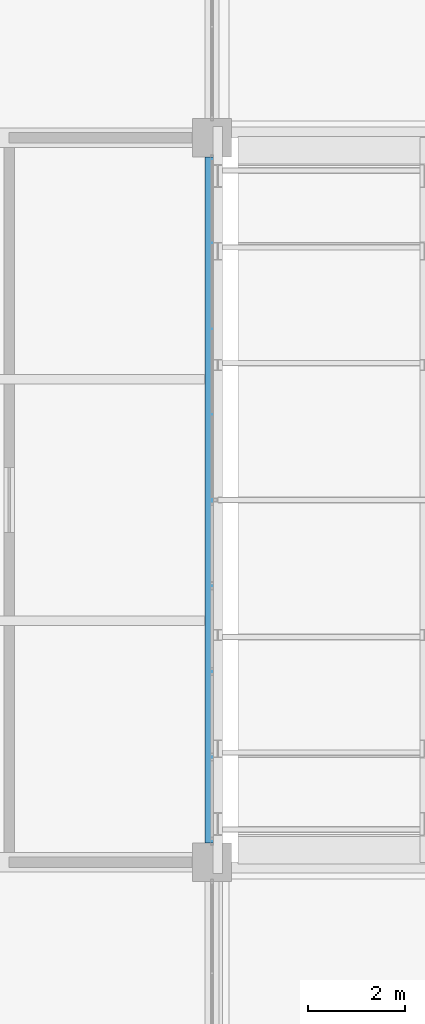
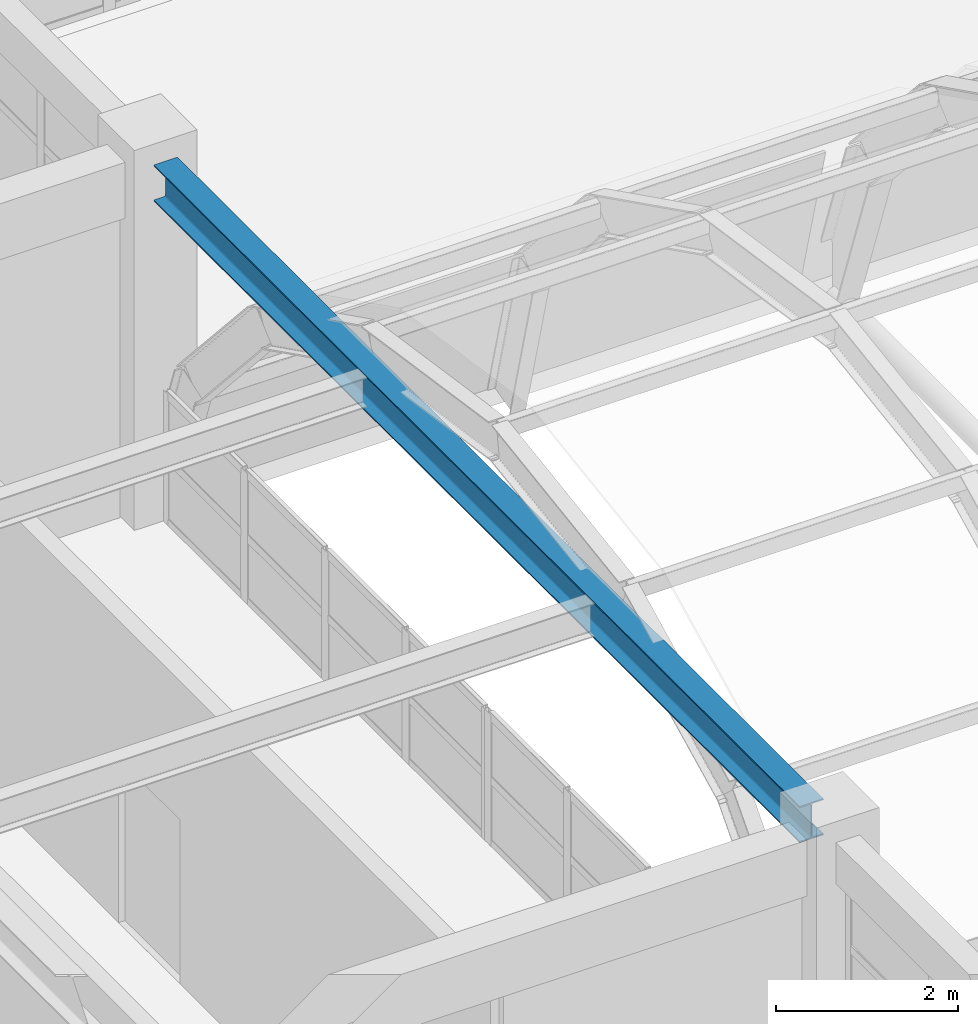
# One storey, part 42 of 124: 1 beam.
"""IFC4 building model written with IfcOpenShell, lengths in metres."""

from ifc_helpers import new_model, si_unit, derived_unit, direction, frame, origin, origin_2d, place, context, subcontext, project, spatial, i_section, extrude, material, material_profile, profile_set, type_object, element, save


model = new_model("IFC4")

# Units and contexts
model_context = context("Model", 3, precision=1e-05, world=origin(), true_north=direction((0.0, 1.0)))
body_context = subcontext(model_context, "Body", "Model", "MODEL_VIEW")
ifc_project = project(units=[si_unit("LENGTHUNIT", "METRE"), si_unit("AREAUNIT", "SQUARE_METRE"), si_unit("VOLUMEUNIT", "CUBIC_METRE"), si_unit("PLANEANGLEUNIT", "RADIAN"), si_unit("MASSUNIT", "GRAM", prefix="KILO"), derived_unit("THERMALTRANSMITTANCEUNIT", [(si_unit("MASSUNIT", "GRAM", prefix="KILO"), 1), (si_unit("TIMEUNIT", "SECOND"), -3), (si_unit("THERMODYNAMICTEMPERATUREUNIT", "KELVIN"), -1)])], contexts=[model_context])

# Site, building, storey
site_placement = place(None, origin())
site = spatial("IfcSite", under=ifc_project, at=site_placement, CompositionType="ELEMENT")
building_placement = place(site_placement, origin())
building = spatial("IfcBuilding", under=site, at=building_placement, Name="Qinzheling Arcade Emporium", CompositionType="ELEMENT")
storey_placement = place(building_placement, frame((0.0, 0.0, 16.5)))
storey = spatial("IfcBuildingStorey", under=building, at=storey_placement, Name="L04", CompositionType="ELEMENT", Elevation=16.5)

# Beam
ifc_material = material(Name="Structural steel Q355B", Category="steel")
ifc_material_profile = material_profile(ifc_material, i_section(OverallWidth=0.300048828125, OverallDepth=0.488037109375, WebThickness=0.010986328125, FlangeThickness=0.01806640625, FilletRadius=0.02197265625, at=origin_2d()), Name="HM 488x300x11x18", Category="steel")
ifc_profile_set = profile_set([ifc_material_profile], Name="Structural steel Q355B")
beam_type = type_object("IfcBeamType", Name="Atrium Bridge Girder HM488 Q355B", PredefinedType="USERDEFINED", material=ifc_profile_set)
beam_placement = place(storey_placement, frame((104.39990234375, 50.800048828125, 4.575927734375), z_axis=(0.0, 1.0, 0.0), x_axis=(-1.0, 0.0, 0.0)))
element("IfcBeam", 1, at=beam_placement, inside=storey, type_object=beam_type, Name="Beam BM-L04-Y-13-G", ObjectType="TRANSFER_GIRDER", PredefinedType="USERDEFINED", context=body_context, shape_type="SweptSolid", body=[
    extrude(i_section(OverallWidth=0.300048828125, OverallDepth=0.488037109375, WebThickness=0.010986328125, FlangeThickness=0.01806640625, FilletRadius=0.02197265625, at=origin_2d()), origin(), (0.0, 0.0, 1.0), 14.199951171875),
])

save(model, "model.ifc")
